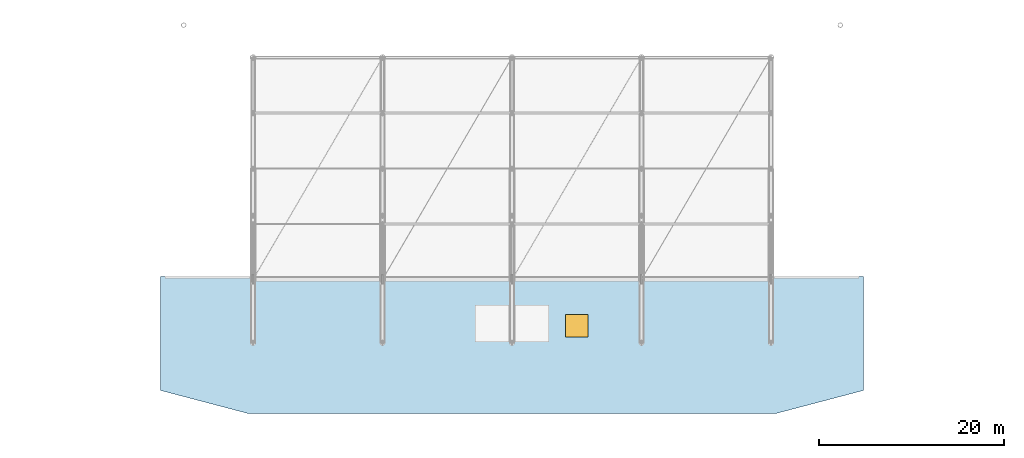
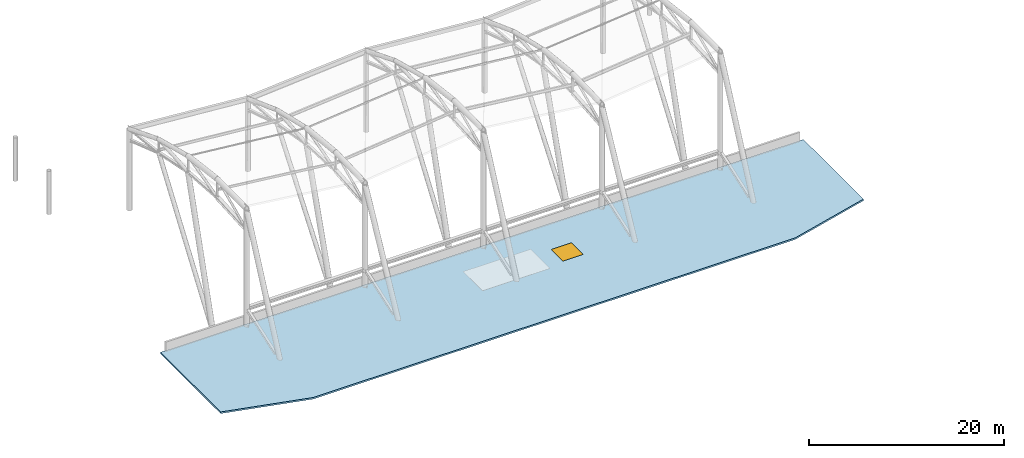
# One storey, part 59 of 90: 1 slab, 1 window, 1 opening.
"""IFC4 building model written with IfcOpenShell, lengths in metres."""

from ifc_helpers import new_model, si_unit, direction, frame, origin, origin_2d, place, context, subcontext, project, spatial, polyline, rectangle, outline, extrude, material, layer, layer_set, type_object, element, fill, save


model = new_model("IFC4")

# Units and contexts
model_context = context("Model", 3, precision=1e-05, world=origin(), true_north=direction((0.0, 1.0)))
body_context = subcontext(model_context, "Body", "Model", "MODEL_VIEW")
ifc_project = project(units=[si_unit("LENGTHUNIT", "METRE"), si_unit("AREAUNIT", "SQUARE_METRE"), si_unit("VOLUMEUNIT", "CUBIC_METRE"), si_unit("PLANEANGLEUNIT", "RADIAN"), si_unit("MASSUNIT", "GRAM", prefix="KILO")], contexts=[model_context])

# Site, building, storey
site_placement = place(None, origin())
site = spatial("IfcSite", under=ifc_project, at=site_placement, CompositionType="ELEMENT")
building_placement = place(site_placement, origin())
building = spatial("IfcBuilding", under=site, at=building_placement, Name="Linyun Crest Stadium", CompositionType="ELEMENT")
storey_placement = place(building_placement, frame((0.0, 0.0, 21.0)))
storey = spatial("IfcBuildingStorey", under=building, at=storey_placement, Name="L05", CompositionType="ELEMENT", Elevation=21.0)

# Slab, opening, window
ifc_material_1 = material(Name="Concrete C40", Category="concrete")
ifc_layer_1 = layer(ifc_material_1, 0.205078125)
ifc_layer_set_1 = layer_set([ifc_layer_1], Name="Concrete C40")
slab_type = type_object("IfcSlabType", Name="RS01", PredefinedType="ROOF", material=ifc_layer_set_1)
slab_placement = place(storey_placement, frame((0.0, 0.0, -0.205078125)))
slab = element("IfcSlab", 1, at=slab_placement, inside=storey, type_object=slab_type, Name="Slab RS01 V4 L05 45", PredefinedType="ROOF", context=body_context, shape_type="SweptSolid", body=[
    extrude(outline(polyline([(-38.0, -85.5), (-28.5, -88.0), (28.5, -88.0), (38.0, -85.5), (38.0, -73.199951171875), (-38.0, -73.199951171875), (-38.0, -85.5)])), origin(), (0.0, 0.0, 1.0), 0.205078125),
])
opening_placement = place(slab_placement, frame((7.0, -78.5, 0.0)))
opening = element("IfcOpeningElement", 2, at=opening_placement, cuts=slab, Name="Opening RH04", PredefinedType="OPENING", context=body_context, shape_type="SweptSolid", body=[
    extrude(rectangle(XDim=2.39990234375, YDim=2.39990234375, at=origin_2d()), origin(), (0.0, 0.0, 1.0), 0.205078125),
])
ifc_material_2 = material(Name="Art Nouveau pod lantern skylight")
ifc_layer_2 = layer(ifc_material_2, 0.074951171875)
ifc_layer_set_2 = layer_set([ifc_layer_2], Name="Art Nouveau pod lantern skylight")
window_type = type_object("IfcWindowType", Name="RH04", PartitioningType="SINGLE_PANEL", PredefinedType="SKYLIGHT", material=ifc_layer_set_2)
window_placement = place(opening_placement, frame((0.0, 0.0, 0.130126953125)))
window = element("IfcWindow", 3, at=window_placement, inside=storey, type_object=window_type, Name="Roof access hatch RH04 L05 4", OverallHeight=2.39990234375, OverallWidth=2.39990234375, PartitioningType="SINGLE_PANEL", PredefinedType="SKYLIGHT", context=body_context, shape_type="SweptSolid", body=[
    extrude(rectangle(XDim=2.39990234375, YDim=2.39990234375, at=origin_2d()), origin(), (0.0, 0.0, 1.0), 0.074951171875),
])
fill(opening, window)

save(model, "model.ifc")
